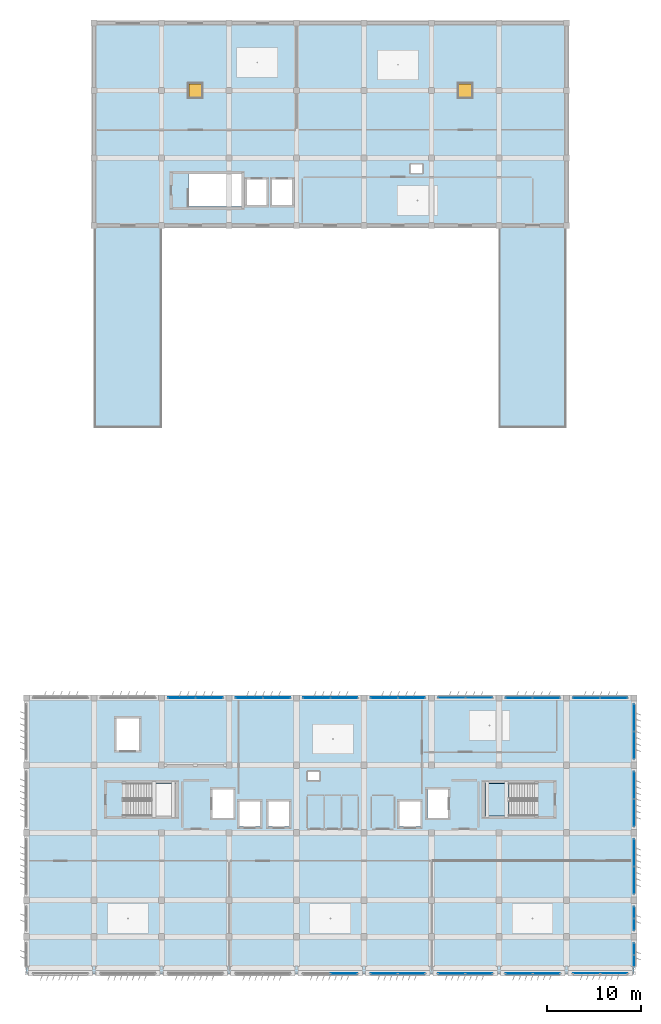
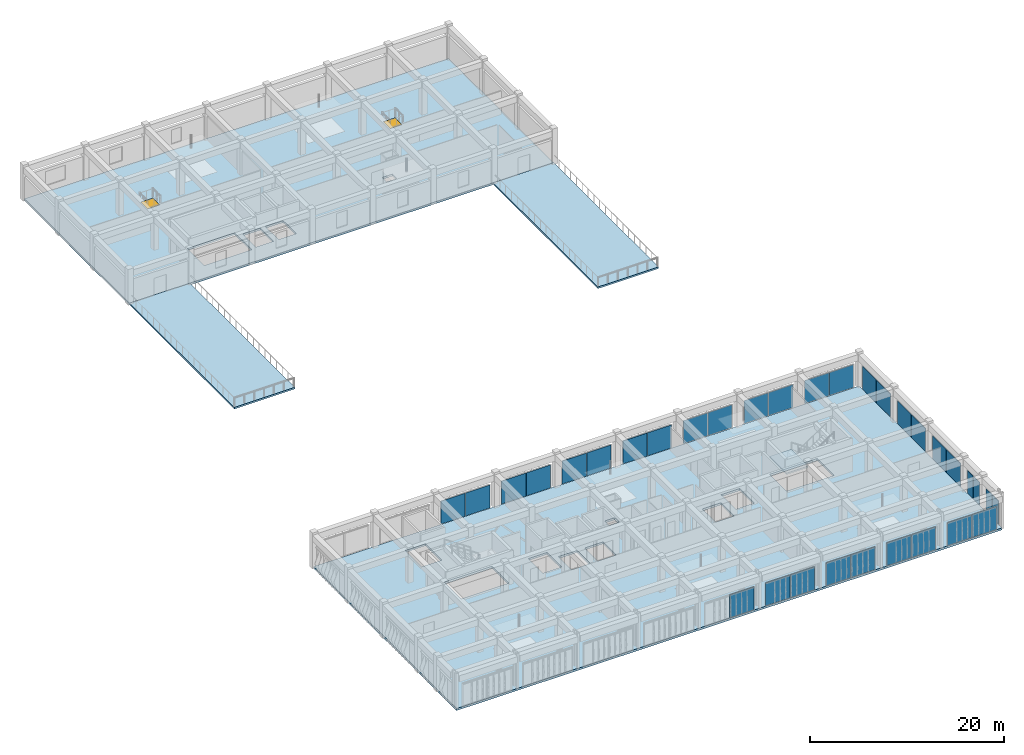
# One storey, part 33 of 56: 33 plates, 5 slabs, 2 windows, 2 openings, 18 elements without a shape of their own.
"""IFC4 building model written with IfcOpenShell, lengths in metres."""

import ifcopenshell
import ifcopenshell.guid

model = None  # the IFC model being written
_history = None  # IfcOwnerHistory: only IFC2X3 demands one
_inside = {}  # id of a spatial element -> (the spatial element, [elements in it])
_under = {}  # id of a project, library or spatial element -> (it, [spatial elements below it])
_declared = {}  # id of a project -> (the project, [libraries it declares])
_typed = {}  # id of a type object -> (the type object, [elements of that type])
_made_of = {}  # id of a material, layer set ... -> (it, [elements and type objects made of it])


def new_model(schema):
    """Start an empty IFC model of exactly this schema.

    Asked for "IFC4X3", IfcOpenShell would pick the latest addendum, in which some entities
    have other attributes; the version numbers below select the first issue.
    IFC2X3 requires an IfcOwnerHistory on every rooted entity: one is made here for all.
    """
    global model, _history
    if schema == "IFC4X3":
        model = ifcopenshell.file(schema_version=(4, 3, 0, 0))
    else:
        model = ifcopenshell.file(schema=schema)
    _inside.clear()
    _under.clear()
    _declared.clear()
    _typed.clear()
    _made_of.clear()
    _history = None
    if model.schema == "IFC2X3":
        org = make("IfcOrganization", Name="unknown")
        user = make(
            "IfcPersonAndOrganization",
            ThePerson=make("IfcPerson", FamilyName="unknown"),
            TheOrganization=org,
        )
        app = make(
            "IfcApplication",
            ApplicationDeveloper=org,
            Version="unknown",
            ApplicationFullName="unknown",
            ApplicationIdentifier="unknown",
        )
        _history = make(
            "IfcOwnerHistory",
            OwningUser=user,
            OwningApplication=app,
            ChangeAction="ADDED",
            CreationDate=0,
        )
    return model


def make(cls, **values):
    """One entity of the class cls with the attributes given. An attribute that is None is left unset."""
    return model.create_entity(
        cls, **{name: value for name, value in values.items() if value is not None}
    )


def rooted(cls, **values):
    """An entity with a GlobalId (a new one), such as an element, a storey or a relation."""
    return make(cls, GlobalId=ifcopenshell.guid.new(), OwnerHistory=_history, **values)


def si_unit(unit_type, name, prefix=None):
    """IfcSIUnit, for example si_unit("LENGTHUNIT", "METRE", prefix="MILLI")."""
    return make("IfcSIUnit", UnitType=unit_type, Prefix=prefix, Name=name)


def assignment(units):
    """IfcUnitAssignment: the units of a project."""
    return None if units is None else make("IfcUnitAssignment", Units=units)


def point(xyz):
    """IfcCartesianPoint."""
    return None if xyz is None else make("IfcCartesianPoint", Coordinates=xyz)


def direction(xyz):
    """IfcDirection."""
    return None if xyz is None else make("IfcDirection", DirectionRatios=xyz)


def frame(location, z_axis=None, x_axis=None):
    """IfcAxis2Placement3D, a coordinate frame: its origin and axes. An axis left out is left unset."""
    return make(
        "IfcAxis2Placement3D",
        Location=point(location),
        Axis=direction(z_axis),
        RefDirection=direction(x_axis),
    )


def frame_2d(location, x_axis=None):
    """IfcAxis2Placement2D, a coordinate frame in the plane: its origin and x axis."""
    return make(
        "IfcAxis2Placement2D", Location=point(location), RefDirection=direction(x_axis)
    )


def origin():
    """The frame at (0, 0, 0) with its axes left unset."""
    return frame((0.0, 0.0, 0.0))


def origin_2d():
    """The frame at (0, 0) in the plane with its x axis left unset."""
    return frame_2d((0.0, 0.0))


def place(relative_to, where):
    """IfcLocalPlacement: puts the frame where relative to a parent placement (None: the world)."""
    return make(
        "IfcLocalPlacement", PlacementRelTo=relative_to, RelativePlacement=where
    )


def context(
    kind, dimensions, precision=None, world=None, true_north=None, identifier=None
):
    """IfcGeometricRepresentationContext, for example the 3D "Model" context."""
    return make(
        "IfcGeometricRepresentationContext",
        ContextIdentifier=identifier,
        ContextType=kind,
        CoordinateSpaceDimension=dimensions,
        Precision=precision,
        WorldCoordinateSystem=world,
        TrueNorth=true_north,
    )


def subcontext(parent, identifier, kind, view, scale=None):
    """IfcGeometricRepresentationSubContext, for example "Body" below "Model"."""
    return make(
        "IfcGeometricRepresentationSubContext",
        ContextIdentifier=identifier,
        ContextType=kind,
        ParentContext=parent,
        TargetScale=scale,
        TargetView=view,
    )


def project(units=None, contexts=None):
    """IfcProject with its units and contexts."""
    return rooted(
        "IfcProject",
        Name="project",
        RepresentationContexts=contexts,
        UnitsInContext=assignment(units),
    )


def spatial(cls, under=None, at=None, **own):
    """A site, building, storey or space (cls), placed at a placement, below another one or the project."""
    s = rooted(cls, ObjectPlacement=at, **own)
    if under is not None:
        _under.setdefault(under.id(), (under, []))[1].append(s)
    return s


def polyline(points):
    """IfcPolyline through the points."""
    return make("IfcPolyline", Points=[point(p) for p in points])


def profile(cls, at=None, kind="AREA", **sizes):
    """A parametric profile (cls). Its sizes go by their IFC names, for example OverallWidth=200.0."""
    return make(cls, ProfileType=kind, Position=at, **sizes)


def rectangle(**sizes):
    """IfcRectangleProfileDef."""
    return profile("IfcRectangleProfileDef", **sizes)


def outline(outer, holes=None, kind="AREA"):
    """IfcArbitraryClosedProfileDef: a profile drawn as a closed curve; with holes, ...WithVoids."""
    if holes is None:
        return make("IfcArbitraryClosedProfileDef", ProfileType=kind, OuterCurve=outer)
    return make(
        "IfcArbitraryProfileDefWithVoids",
        ProfileType=kind,
        OuterCurve=outer,
        InnerCurves=holes,
    )


def extrude(swept, where, along, depth):
    """IfcExtrudedAreaSolid: the profile swept, set in the frame where, extruded along a direction by depth."""
    return make(
        "IfcExtrudedAreaSolid",
        SweptArea=swept,
        Position=where,
        ExtrudedDirection=direction(along),
        Depth=depth,
    )


def shape(context_of_items, identifier, shape_type, items):
    """IfcShapeRepresentation: the items that make up one representation, for example the "Body"."""
    return make(
        "IfcShapeRepresentation",
        ContextOfItems=context_of_items,
        RepresentationIdentifier=identifier,
        RepresentationType=shape_type,
        Items=items,
    )


def material(Name=None, Category=None):
    """IfcMaterial."""
    return make("IfcMaterial", Name=Name, Category=Category)


def layer(
    of_material, thickness, ventilated=None, Name=None, Category=None, Priority=None
):
    """IfcMaterialLayer: one layer of a wall or slab, of a material (None: an air gap)."""
    return make(
        "IfcMaterialLayer",
        Material=of_material,
        LayerThickness=thickness,
        IsVentilated=ventilated,
        Name=Name,
        Category=Category,
        Priority=Priority,
    )


def layer_set(layers, Name=None):
    """IfcMaterialLayerSet."""
    return make("IfcMaterialLayerSet", MaterialLayers=layers, LayerSetName=Name)


def made_of(thing, what):
    """Note that an element or type object is made of a material, layer set ...; save() writes the relation."""
    if what is not None:
        _made_of.setdefault(what.id(), (what, []))[1].append(thing)
    return thing


def type_object(cls, material=None, **own):
    """A type object (cls), such as IfcWallType, which elements share."""
    return made_of(rooted(cls, **own), material)


def element(
    cls,
    number,
    at=None,
    inside=None,
    cuts=None,
    type_object=None,
    material=None,
    context=None,
    identifier="Body",
    shape_type=None,
    held_by="IfcProductDefinitionShape",
    body=None,
    shapes=None,
    **own,
):
    """One element of the class cls, such as IfcWall. Its Tag is "e" and its number.

    at: its placement. inside: the storey or other place that contains it. cuts: it is an
    opening in that element (IfcRelVoidsElement). A single representation is given by context,
    identifier, shape_type and body (its items); several are given by shapes. held_by: the class
    of the entity that holds the representations. save() writes the other relations.
    """
    e = rooted(cls, Tag="e%d" % number, ObjectPlacement=at, **own)
    if body is not None:
        shapes = [shape(context, identifier, shape_type, body)]
    if shapes is not None:
        e.Representation = make(held_by, Representations=shapes)
    if inside is not None:
        _inside.setdefault(inside.id(), (inside, []))[1].append(e)
    if cuts is not None:
        rooted(
            "IfcRelVoidsElement", RelatingBuildingElement=cuts, RelatedOpeningElement=e
        )
    if type_object is not None:
        _typed.setdefault(type_object.id(), (type_object, []))[1].append(e)
    return made_of(e, material)


def fill(opening, filler):
    """IfcRelFillsElement: the door or window that sits in an opening."""
    return rooted(
        "IfcRelFillsElement",
        RelatingOpeningElement=opening,
        RelatedBuildingElement=filler,
    )


def aggregate(whole, parts):
    """IfcRelAggregates: a whole, such as a stair, and the parts it consists of."""
    return rooted("IfcRelAggregates", RelatingObject=whole, RelatedObjects=parts)


def save(model, path):
    """Write the relations noted so far, then the file.

    IfcRelAggregates (storeys below a building ...), IfcRelContainedInSpatialStructure (elements
    in a storey), IfcRelDefinesByType, IfcRelAssociatesMaterial and IfcRelDeclares: one each for
    every whole, place, type object, material and project.
    """
    for whole, parts in _under.values():
        aggregate(whole, parts)
    for where, things in _inside.values():
        rooted(
            "IfcRelContainedInSpatialStructure",
            RelatedElements=things,
            RelatingStructure=where,
        )
    for kind, things in _typed.values():
        rooted("IfcRelDefinesByType", RelatedObjects=things, RelatingType=kind)
    for what, things in _made_of.values():
        rooted("IfcRelAssociatesMaterial", RelatedObjects=things, RelatingMaterial=what)
    for by, libraries in _declared.values():
        rooted("IfcRelDeclares", RelatingContext=by, RelatedDefinitions=libraries)
    model.write(path)


model = new_model("IFC4")

# Units and contexts
model_context = context("Model", 3, precision=1e-05, world=origin(), true_north=direction((0.0, 1.0)))
body_context = subcontext(model_context, "Body", "Model", "MODEL_VIEW")
ifc_project = project(units=[si_unit("LENGTHUNIT", "METRE"), si_unit("AREAUNIT", "SQUARE_METRE"), si_unit("VOLUMEUNIT", "CUBIC_METRE"), si_unit("PLANEANGLEUNIT", "RADIAN"), si_unit("MASSUNIT", "GRAM", prefix="KILO")], contexts=[model_context])

# Site, building, storey
site_placement = place(None, origin())
site = spatial("IfcSite", under=ifc_project, at=site_placement, CompositionType="ELEMENT")
building_placement = place(site_placement, origin())
building = spatial("IfcBuilding", under=site, at=building_placement, Name="Kazehaya Institute of Natural Sciences", CompositionType="ELEMENT")
storey_placement = place(building_placement, frame((0.0, 0.0, 28.800048828125)))
storey = spatial("IfcBuildingStorey", under=building, at=storey_placement, Name="L06", CompositionType="ELEMENT", Elevation=28.800048828125)

# Curtain wall, plates
ifc_material_1 = material(Name="Aluminium alloy A6063S-T5", Category="aluminium")
curtain_wall_type_1 = type_object("IfcCurtainWallType", Name="CW-SYS-04", PredefinedType="NOTDEFINED", material=ifc_material_1)
curtain_wall_1_placement = place(storey_placement, origin())
curtain_wall_1 = element("IfcCurtainWall", 1, at=curtain_wall_1_placement, inside=storey, type_object=curtain_wall_type_1, Name="L06 unitised curtain wall CW-L06-120", PredefinedType="NOTDEFINED")
ifc_material_2 = material(Name="Low-E double-glazed vision glass", Category="glass")
ifc_layer_1 = layer(ifc_material_2, 0.030029296875, Name="Low-E double-glazed vision glass", Category="glass")
ifc_layer_set_1 = layer_set([ifc_layer_1], Name="Low-E double-glazed vision glass")
plate_type_1 = type_object("IfcPlateType", Name="CWP-01", PredefinedType="CURTAIN_PANEL", material=ifc_layer_set_1)
plate_1_placement = place(storey_placement, frame((117.264892578125, 6.199951171875, 0.06005859375), z_axis=(0.0, 0.0, 1.0), x_axis=(-1.0, 0.0, 0.0)))
plate_1 = element("IfcPlate", 2, at=plate_1_placement, type_object=plate_type_1, Name="CW04 panel 1.1", PredefinedType="CURTAIN_PANEL", context=body_context, shape_type="SweptSolid", body=[
    extrude(rectangle(XDim=2.8701171875, YDim=0.030029296875, at=origin_2d()), origin(), (0.0, 0.0, 1.0), 2.8798828125),
])
plate_2_placement = place(storey_placement, frame((114.3349609375, 6.199951171875, 0.06005859375), z_axis=(0.0, 0.0, 1.0), x_axis=(-1.0, 0.0, 0.0)))
plate_2 = element("IfcPlate", 3, at=plate_2_placement, type_object=plate_type_1, Name="CW04 panel 2.1", PredefinedType="CURTAIN_PANEL", context=body_context, shape_type="SweptSolid", body=[
    extrude(rectangle(XDim=2.8701171875, YDim=0.030029296875, at=origin_2d()), origin(), (0.0, 0.0, 1.0), 2.8798828125),
])
aggregate(curtain_wall_1, [plate_1, plate_2])

curtain_wall_2_placement = place(storey_placement, origin())
curtain_wall_2 = element("IfcCurtainWall", 4, at=curtain_wall_2_placement, inside=storey, type_object=curtain_wall_type_1, Name="L06 unitised curtain wall CW-L06-135", PredefinedType="NOTDEFINED")
plate_3_placement = place(storey_placement, frame((99.93505859375, 35.60009765625, 0.06005859375), z_axis=(0.0, 0.0, 1.0), x_axis=(1.0, 0.0, 0.0)))
plate_3 = element("IfcPlate", 5, at=plate_3_placement, type_object=plate_type_1, Name="CW04 panel 1.1", PredefinedType="CURTAIN_PANEL", context=body_context, shape_type="SweptSolid", body=[
    extrude(rectangle(XDim=2.8701171875, YDim=0.030029296875, at=origin_2d()), origin(), (0.0, 0.0, 1.0), 2.8798828125),
])
plate_4_placement = place(storey_placement, frame((102.864990234375, 35.60009765625, 0.06005859375), z_axis=(0.0, 0.0, 1.0), x_axis=(1.0, 0.0, 0.0)))
plate_4 = element("IfcPlate", 6, at=plate_4_placement, type_object=plate_type_1, Name="CW04 panel 2.1", PredefinedType="CURTAIN_PANEL", context=body_context, shape_type="SweptSolid", body=[
    extrude(rectangle(XDim=2.8701171875, YDim=0.030029296875, at=origin_2d()), origin(), (0.0, 0.0, 1.0), 2.8798828125),
])
aggregate(curtain_wall_2, [plate_3, plate_4])

curtain_wall_3_placement = place(storey_placement, origin())
curtain_wall_3 = element("IfcCurtainWall", 7, at=curtain_wall_3_placement, inside=storey, type_object=curtain_wall_type_1, Name="L06 unitised curtain wall CW-L06-121", PredefinedType="NOTDEFINED")
ifc_layer_2 = layer(ifc_material_2, 0.0400390625, Name="Low-E double-glazed vision glass", Category="glass")
ifc_layer_set_2 = layer_set([ifc_layer_2], Name="Low-E double-glazed vision glass")
plate_type_2 = type_object("IfcPlateType", Name="CWP-02", PredefinedType="CURTAIN_PANEL", material=ifc_layer_set_2)
plate_5_placement = place(storey_placement, frame((110.06494140625, 6.199951171875, 0.06005859375), z_axis=(0.0, 0.0, 1.0), x_axis=(-1.0, 0.0, 0.0)))
plate_5 = element("IfcPlate", 8, at=plate_5_placement, type_object=plate_type_2, Name="CW04 panel 1.1", PredefinedType="CURTAIN_PANEL", context=body_context, shape_type="SweptSolid", body=[
    extrude(rectangle(XDim=2.8701171875, YDim=0.0400390625, at=origin_2d()), origin(), (0.0, 0.0, 1.0), 2.8798828125),
])
plate_6_placement = place(storey_placement, frame((107.135009765625, 6.199951171875, 0.06005859375), z_axis=(0.0, 0.0, 1.0), x_axis=(-1.0, 0.0, 0.0)))
plate_6 = element("IfcPlate", 9, at=plate_6_placement, type_object=plate_type_2, Name="CW04 panel 2.1", PredefinedType="CURTAIN_PANEL", context=body_context, shape_type="SweptSolid", body=[
    extrude(rectangle(XDim=2.8701171875, YDim=0.0400390625, at=origin_2d()), origin(), (0.0, 0.0, 1.0), 2.8798828125),
])
aggregate(curtain_wall_3, [plate_5, plate_6])

curtain_wall_4_placement = place(storey_placement, origin())
curtain_wall_4 = element("IfcCurtainWall", 10, at=curtain_wall_4_placement, inside=storey, type_object=curtain_wall_type_1, Name="L06 unitised curtain wall CW-L06-136", PredefinedType="NOTDEFINED")
plate_7_placement = place(storey_placement, frame((107.135009765625, 35.60009765625, 0.06005859375), z_axis=(0.0, 0.0, 1.0), x_axis=(1.0, 0.0, 0.0)))
plate_7 = element("IfcPlate", 11, at=plate_7_placement, type_object=plate_type_2, Name="CW04 panel 1.1", PredefinedType="CURTAIN_PANEL", context=body_context, shape_type="SweptSolid", body=[
    extrude(rectangle(XDim=2.8701171875, YDim=0.0400390625, at=origin_2d()), origin(), (0.0, 0.0, 1.0), 2.8798828125),
])
plate_8_placement = place(storey_placement, frame((110.06494140625, 35.60009765625, 0.06005859375), z_axis=(0.0, 0.0, 1.0), x_axis=(1.0, 0.0, 0.0)))
plate_8 = element("IfcPlate", 12, at=plate_8_placement, type_object=plate_type_2, Name="CW04 panel 2.1", PredefinedType="CURTAIN_PANEL", context=body_context, shape_type="SweptSolid", body=[
    extrude(rectangle(XDim=2.8701171875, YDim=0.0400390625, at=origin_2d()), origin(), (0.0, 0.0, 1.0), 2.8798828125),
])
aggregate(curtain_wall_4, [plate_7, plate_8])

curtain_wall_5_placement = place(storey_placement, origin())
curtain_wall_5 = element("IfcCurtainWall", 13, at=curtain_wall_5_placement, inside=storey, type_object=curtain_wall_type_1, Name="L06 unitised curtain wall CW-L06-122", PredefinedType="NOTDEFINED")
ifc_layer_3 = layer(ifc_material_2, 0.050048828125, Name="Low-E double-glazed vision glass", Category="glass")
ifc_layer_set_3 = layer_set([ifc_layer_3], Name="Low-E double-glazed vision glass")
plate_type_3 = type_object("IfcPlateType", Name="CWP-03", PredefinedType="CURTAIN_PANEL", material=ifc_layer_set_3)
plate_9_placement = place(storey_placement, frame((102.864990234375, 6.199951171875, 0.06005859375), z_axis=(0.0, 0.0, 1.0), x_axis=(-1.0, 0.0, 0.0)))
plate_9 = element("IfcPlate", 14, at=plate_9_placement, type_object=plate_type_3, Name="CW04 panel 1.1", PredefinedType="CURTAIN_PANEL", context=body_context, shape_type="SweptSolid", body=[
    extrude(rectangle(XDim=2.8701171875, YDim=0.050048828125, at=origin_2d()), origin(), (0.0, 0.0, 1.0), 2.8798828125),
])
plate_10_placement = place(storey_placement, frame((99.93505859375, 6.199951171875, 0.06005859375), z_axis=(0.0, 0.0, 1.0), x_axis=(-1.0, 0.0, 0.0)))
plate_10 = element("IfcPlate", 15, at=plate_10_placement, type_object=plate_type_3, Name="CW04 panel 2.1", PredefinedType="CURTAIN_PANEL", context=body_context, shape_type="SweptSolid", body=[
    extrude(rectangle(XDim=2.8701171875, YDim=0.050048828125, at=origin_2d()), origin(), (0.0, 0.0, 1.0), 2.8798828125),
])
aggregate(curtain_wall_5, [plate_9, plate_10])

curtain_wall_6_placement = place(storey_placement, origin())
curtain_wall_6 = element("IfcCurtainWall", 16, at=curtain_wall_6_placement, inside=storey, type_object=curtain_wall_type_1, Name="L06 unitised curtain wall CW-L06-137", PredefinedType="NOTDEFINED")
plate_11_placement = place(storey_placement, frame((114.3349609375, 35.60009765625, 0.06005859375), z_axis=(0.0, 0.0, 1.0), x_axis=(1.0, 0.0, 0.0)))
plate_11 = element("IfcPlate", 17, at=plate_11_placement, type_object=plate_type_3, Name="CW04 panel 1.1", PredefinedType="CURTAIN_PANEL", context=body_context, shape_type="SweptSolid", body=[
    extrude(rectangle(XDim=2.8701171875, YDim=0.050048828125, at=origin_2d()), origin(), (0.0, 0.0, 1.0), 2.8798828125),
])
plate_12_placement = place(storey_placement, frame((117.264892578125, 35.60009765625, 0.06005859375), z_axis=(0.0, 0.0, 1.0), x_axis=(1.0, 0.0, 0.0)))
plate_12 = element("IfcPlate", 18, at=plate_12_placement, type_object=plate_type_3, Name="CW04 panel 2.1", PredefinedType="CURTAIN_PANEL", context=body_context, shape_type="SweptSolid", body=[
    extrude(rectangle(XDim=2.8701171875, YDim=0.050048828125, at=origin_2d()), origin(), (0.0, 0.0, 1.0), 2.8798828125),
])
aggregate(curtain_wall_6, [plate_11, plate_12])

curtain_wall_7_placement = place(storey_placement, origin())
curtain_wall_7 = element("IfcCurtainWall", 19, at=curtain_wall_7_placement, inside=storey, type_object=curtain_wall_type_1, Name="L06 unitised curtain wall CW-L06-123", PredefinedType="NOTDEFINED")
ifc_layer_4 = layer(ifc_material_2, 0.06005859375, Name="Low-E double-glazed vision glass", Category="glass")
ifc_layer_set_4 = layer_set([ifc_layer_4], Name="Low-E double-glazed vision glass")
plate_type_4 = type_object("IfcPlateType", Name="CWP-04", PredefinedType="CURTAIN_PANEL", material=ifc_layer_set_4)
plate_13_placement = place(storey_placement, frame((95.6650390625, 6.199951171875, 0.06005859375), z_axis=(0.0, 0.0, 1.0), x_axis=(-1.0, 0.0, 0.0)))
plate_13 = element("IfcPlate", 20, at=plate_13_placement, type_object=plate_type_4, Name="CW04 panel 1.1", PredefinedType="CURTAIN_PANEL", context=body_context, shape_type="SweptSolid", body=[
    extrude(rectangle(XDim=2.8701171875, YDim=0.06005859375, at=origin_2d()), origin(), (0.0, 0.0, 1.0), 2.8798828125),
])
plate_14_placement = place(storey_placement, frame((92.735107421875, 6.199951171875, 0.06005859375), z_axis=(0.0, 0.0, 1.0), x_axis=(-1.0, 0.0, 0.0)))
plate_14 = element("IfcPlate", 21, at=plate_14_placement, type_object=plate_type_4, Name="CW04 panel 2.1", PredefinedType="CURTAIN_PANEL", context=body_context, shape_type="SweptSolid", body=[
    extrude(rectangle(XDim=2.8701171875, YDim=0.06005859375, at=origin_2d()), origin(), (0.0, 0.0, 1.0), 2.8798828125),
])
aggregate(curtain_wall_7, [plate_13, plate_14])

# Curtain wall, plate
curtain_wall_8_placement = place(storey_placement, origin())
curtain_wall_8 = element("IfcCurtainWall", 22, at=curtain_wall_8_placement, inside=storey, type_object=curtain_wall_type_1, Name="L06 unitised curtain wall CW-L06-124", PredefinedType="NOTDEFINED")
ifc_material_3 = material(Name="Insulated bronze aluminium spandrel panel", Category="aluminium")
ifc_layer_5 = layer(ifc_material_3, 0.070068359375, Name="Insulated bronze aluminium spandrel panel", Category="aluminium")
ifc_layer_set_5 = layer_set([ifc_layer_5], Name="Insulated bronze aluminium spandrel panel")
plate_type_5 = type_object("IfcPlateType", Name="CWP-05", PredefinedType="CURTAIN_PANEL", material=ifc_layer_set_5)
plate_15_placement = place(storey_placement, frame((88.465087890625, 6.199951171875, 0.06005859375), z_axis=(0.0, 0.0, 1.0), x_axis=(-1.0, 0.0, 0.0)))
plate_15 = element("IfcPlate", 23, at=plate_15_placement, type_object=plate_type_5, Name="CW04 panel 1.1", PredefinedType="CURTAIN_PANEL", context=body_context, shape_type="SweptSolid", body=[
    extrude(rectangle(XDim=2.8701171875, YDim=0.070068359375, at=origin_2d()), origin(), (0.0, 0.0, 1.0), 2.8798828125),
])
aggregate(curtain_wall_8, [plate_15])

# Curtain wall, plates
curtain_wall_9_placement = place(storey_placement, origin())
curtain_wall_9 = element("IfcCurtainWall", 24, at=curtain_wall_9_placement, inside=storey, type_object=curtain_wall_type_1, Name="L06 unitised curtain wall CW-L06-131", PredefinedType="NOTDEFINED")
plate_16_placement = place(storey_placement, frame((71.135009765625, 35.60009765625, 0.06005859375), z_axis=(0.0, 0.0, 1.0), x_axis=(1.0, 0.0, 0.0)))
plate_16 = element("IfcPlate", 25, at=plate_16_placement, type_object=plate_type_5, Name="CW04 panel 1.1", PredefinedType="CURTAIN_PANEL", context=body_context, shape_type="SweptSolid", body=[
    extrude(rectangle(XDim=2.8701171875, YDim=0.070068359375, at=origin_2d()), origin(), (0.0, 0.0, 1.0), 2.8798828125),
])
plate_17_placement = place(storey_placement, frame((74.06494140625, 35.60009765625, 0.06005859375), z_axis=(0.0, 0.0, 1.0), x_axis=(1.0, 0.0, 0.0)))
plate_17 = element("IfcPlate", 26, at=plate_17_placement, type_object=plate_type_5, Name="CW04 panel 2.1", PredefinedType="CURTAIN_PANEL", context=body_context, shape_type="SweptSolid", body=[
    extrude(rectangle(XDim=2.8701171875, YDim=0.070068359375, at=origin_2d()), origin(), (0.0, 0.0, 1.0), 2.8798828125),
])
aggregate(curtain_wall_9, [plate_16, plate_17])

curtain_wall_10_placement = place(storey_placement, origin())
curtain_wall_10 = element("IfcCurtainWall", 27, at=curtain_wall_10_placement, inside=storey, type_object=curtain_wall_type_1, Name="L06 unitised curtain wall CW-L06-132", PredefinedType="NOTDEFINED")
ifc_layer_6 = layer(ifc_material_3, 0.080078125, Name="Insulated bronze aluminium spandrel panel", Category="aluminium")
ifc_layer_set_6 = layer_set([ifc_layer_6], Name="Insulated bronze aluminium spandrel panel")
plate_type_6 = type_object("IfcPlateType", Name="CWP-06", PredefinedType="CURTAIN_PANEL", material=ifc_layer_set_6)
plate_18_placement = place(storey_placement, frame((78.3349609375, 35.60009765625, 0.06005859375), z_axis=(0.0, 0.0, 1.0), x_axis=(1.0, 0.0, 0.0)))
plate_18 = element("IfcPlate", 28, at=plate_18_placement, type_object=plate_type_6, Name="CW04 panel 1.1", PredefinedType="CURTAIN_PANEL", context=body_context, shape_type="SweptSolid", body=[
    extrude(rectangle(XDim=2.8701171875, YDim=0.080078125, at=origin_2d()), origin(), (0.0, 0.0, 1.0), 2.8798828125),
])
plate_19_placement = place(storey_placement, frame((81.264892578125, 35.60009765625, 0.06005859375), z_axis=(0.0, 0.0, 1.0), x_axis=(1.0, 0.0, 0.0)))
plate_19 = element("IfcPlate", 29, at=plate_19_placement, type_object=plate_type_6, Name="CW04 panel 2.1", PredefinedType="CURTAIN_PANEL", context=body_context, shape_type="SweptSolid", body=[
    extrude(rectangle(XDim=2.8701171875, YDim=0.080078125, at=origin_2d()), origin(), (0.0, 0.0, 1.0), 2.8798828125),
])
aggregate(curtain_wall_10, [plate_18, plate_19])

curtain_wall_type_2 = type_object("IfcCurtainWallType", Name="CW-SYS-08", PredefinedType="NOTDEFINED", material=ifc_material_1)
curtain_wall_11_placement = place(storey_placement, origin())
curtain_wall_11 = element("IfcCurtainWall", 30, at=curtain_wall_11_placement, inside=storey, type_object=curtain_wall_type_2, Name="L06 unitised curtain wall CW-L06-139", PredefinedType="NOTDEFINED")
plate_20_placement = place(storey_placement, frame((119.39990234375, 8.7900390625, 0.06005859375), z_axis=(0.0, 0.0, 1.0), x_axis=(0.0, -1.0, 0.0)))
plate_20 = element("IfcPlate", 31, at=plate_20_placement, type_object=plate_type_6, Name="CW08 panel 1.1", PredefinedType="CURTAIN_PANEL", context=body_context, shape_type="SweptSolid", body=[
    extrude(rectangle(XDim=1.219970703125, YDim=0.080078125, at=origin_2d()), origin(), (0.0, 0.0, 1.0), 2.8798828125),
])
plate_21_placement = place(storey_placement, frame((119.39990234375, 7.510009765625, 0.06005859375), z_axis=(0.0, 0.0, 1.0), x_axis=(0.0, -1.0, 0.0)))
plate_21 = element("IfcPlate", 32, at=plate_21_placement, type_object=plate_type_6, Name="CW08 panel 2.1", PredefinedType="CURTAIN_PANEL", context=body_context, shape_type="SweptSolid", body=[
    extrude(rectangle(XDim=1.219970703125, YDim=0.080078125, at=origin_2d()), origin(), (0.0, 0.0, 1.0), 2.8798828125),
])
aggregate(curtain_wall_11, [plate_20, plate_21])

curtain_wall_12_placement = place(storey_placement, origin())
curtain_wall_12 = element("IfcCurtainWall", 33, at=curtain_wall_12_placement, inside=storey, type_object=curtain_wall_type_2, Name="L06 unitised curtain wall CW-L06-141", PredefinedType="NOTDEFINED")
plate_22_placement = place(storey_placement, frame((119.39990234375, 12.68994140625, 0.06005859375), z_axis=(0.0, 0.0, 1.0), x_axis=(0.0, -1.0, 0.0)))
plate_22 = element("IfcPlate", 34, at=plate_22_placement, type_object=plate_type_6, Name="CW08 panel 1.1", PredefinedType="CURTAIN_PANEL", context=body_context, shape_type="SweptSolid", body=[
    extrude(rectangle(XDim=1.219970703125, YDim=0.080078125, at=origin_2d()), origin(), (0.0, 0.0, 1.0), 2.8798828125),
])
plate_23_placement = place(storey_placement, frame((119.39990234375, 11.409912109375, 0.06005859375), z_axis=(0.0, 0.0, 1.0), x_axis=(0.0, -1.0, 0.0)))
plate_23 = element("IfcPlate", 35, at=plate_23_placement, type_object=plate_type_6, Name="CW08 panel 2.1", PredefinedType="CURTAIN_PANEL", context=body_context, shape_type="SweptSolid", body=[
    extrude(rectangle(XDim=1.219970703125, YDim=0.080078125, at=origin_2d()), origin(), (0.0, 0.0, 1.0), 2.8798828125),
])
aggregate(curtain_wall_12, [plate_22, plate_23])

curtain_wall_type_3 = type_object("IfcCurtainWallType", Name="CW-SYS-10", PredefinedType="NOTDEFINED", material=ifc_material_1)
curtain_wall_13_placement = place(storey_placement, origin())
curtain_wall_13 = element("IfcCurtainWall", 36, at=curtain_wall_13_placement, inside=storey, type_object=curtain_wall_type_3, Name="L06 unitised curtain wall CW-L06-143", PredefinedType="NOTDEFINED")
plate_24_placement = place(storey_placement, frame((119.39990234375, 19.06494140625, 0.06005859375), z_axis=(0.0, 0.0, 1.0), x_axis=(0.0, -1.0, 0.0)))
plate_24 = element("IfcPlate", 37, at=plate_24_placement, type_object=plate_type_6, Name="CW10 panel 1.1", PredefinedType="CURTAIN_PANEL", context=body_context, shape_type="SweptSolid", body=[
    extrude(rectangle(XDim=2.8701171875, YDim=0.080078125, at=origin_2d()), origin(), (0.0, 0.0, 1.0), 2.8798828125),
])
plate_25_placement = place(storey_placement, frame((119.39990234375, 16.135009765625, 0.06005859375), z_axis=(0.0, 0.0, 1.0), x_axis=(0.0, -1.0, 0.0)))
plate_25 = element("IfcPlate", 38, at=plate_25_placement, type_object=plate_type_6, Name="CW10 panel 2.1", PredefinedType="CURTAIN_PANEL", context=body_context, shape_type="SweptSolid", body=[
    extrude(rectangle(XDim=2.8701171875, YDim=0.080078125, at=origin_2d()), origin(), (0.0, 0.0, 1.0), 2.8798828125),
])
aggregate(curtain_wall_13, [plate_24, plate_25])

curtain_wall_14_placement = place(storey_placement, origin())
curtain_wall_14 = element("IfcCurtainWall", 39, at=curtain_wall_14_placement, inside=storey, type_object=curtain_wall_type_3, Name="L06 unitised curtain wall CW-L06-145", PredefinedType="NOTDEFINED")
plate_26_placement = place(storey_placement, frame((119.39990234375, 26.264892578125, 0.06005859375), z_axis=(0.0, 0.0, 1.0), x_axis=(0.0, -1.0, 0.0)))
plate_26 = element("IfcPlate", 40, at=plate_26_placement, type_object=plate_type_6, Name="CW10 panel 1.1", PredefinedType="CURTAIN_PANEL", context=body_context, shape_type="SweptSolid", body=[
    extrude(rectangle(XDim=2.8701171875, YDim=0.080078125, at=origin_2d()), origin(), (0.0, 0.0, 1.0), 2.8798828125),
])
plate_27_placement = place(storey_placement, frame((119.39990234375, 23.3349609375, 0.06005859375), z_axis=(0.0, 0.0, 1.0), x_axis=(0.0, -1.0, 0.0)))
plate_27 = element("IfcPlate", 41, at=plate_27_placement, type_object=plate_type_6, Name="CW10 panel 2.1", PredefinedType="CURTAIN_PANEL", context=body_context, shape_type="SweptSolid", body=[
    extrude(rectangle(XDim=2.8701171875, YDim=0.080078125, at=origin_2d()), origin(), (0.0, 0.0, 1.0), 2.8798828125),
])
aggregate(curtain_wall_14, [plate_26, plate_27])

curtain_wall_15_placement = place(storey_placement, origin())
curtain_wall_15 = element("IfcCurtainWall", 42, at=curtain_wall_15_placement, inside=storey, type_object=curtain_wall_type_3, Name="L06 unitised curtain wall CW-L06-147", PredefinedType="NOTDEFINED")
plate_28_placement = place(storey_placement, frame((119.39990234375, 33.465087890625, 0.06005859375), z_axis=(0.0, 0.0, 1.0), x_axis=(0.0, -1.0, 0.0)))
plate_28 = element("IfcPlate", 43, at=plate_28_placement, type_object=plate_type_6, Name="CW10 panel 1.1", PredefinedType="CURTAIN_PANEL", context=body_context, shape_type="SweptSolid", body=[
    extrude(rectangle(XDim=2.8701171875, YDim=0.080078125, at=origin_2d()), origin(), (0.0, 0.0, 1.0), 2.8798828125),
])
plate_29_placement = place(storey_placement, frame((119.39990234375, 30.534912109375, 0.06005859375), z_axis=(0.0, 0.0, 1.0), x_axis=(0.0, -1.0, 0.0)))
plate_29 = element("IfcPlate", 44, at=plate_29_placement, type_object=plate_type_6, Name="CW10 panel 2.1", PredefinedType="CURTAIN_PANEL", context=body_context, shape_type="SweptSolid", body=[
    extrude(rectangle(XDim=2.8701171875, YDim=0.080078125, at=origin_2d()), origin(), (0.0, 0.0, 1.0), 2.8798828125),
])
aggregate(curtain_wall_15, [plate_28, plate_29])

curtain_wall_16_placement = place(storey_placement, origin())
curtain_wall_16 = element("IfcCurtainWall", 45, at=curtain_wall_16_placement, inside=storey, type_object=curtain_wall_type_1, Name="L06 unitised curtain wall CW-L06-133", PredefinedType="NOTDEFINED")
ifc_layer_7 = layer(ifc_material_3, 0.090087890625, Name="Insulated bronze aluminium spandrel panel", Category="aluminium")
ifc_layer_set_7 = layer_set([ifc_layer_7], Name="Insulated bronze aluminium spandrel panel")
plate_type_7 = type_object("IfcPlateType", Name="CWP-07", PredefinedType="CURTAIN_PANEL", material=ifc_layer_set_7)
plate_30_placement = place(storey_placement, frame((85.534912109375, 35.60009765625, 0.06005859375), z_axis=(0.0, 0.0, 1.0), x_axis=(1.0, 0.0, 0.0)))
plate_30 = element("IfcPlate", 46, at=plate_30_placement, type_object=plate_type_7, Name="CW04 panel 1.1", PredefinedType="CURTAIN_PANEL", context=body_context, shape_type="SweptSolid", body=[
    extrude(rectangle(XDim=2.8701171875, YDim=0.090087890625, at=origin_2d()), origin(), (0.0, 0.0, 1.0), 2.8798828125),
])
plate_31_placement = place(storey_placement, frame((88.465087890625, 35.60009765625, 0.06005859375), z_axis=(0.0, 0.0, 1.0), x_axis=(1.0, 0.0, 0.0)))
plate_31 = element("IfcPlate", 47, at=plate_31_placement, type_object=plate_type_7, Name="CW04 panel 2.1", PredefinedType="CURTAIN_PANEL", context=body_context, shape_type="SweptSolid", body=[
    extrude(rectangle(XDim=2.8701171875, YDim=0.090087890625, at=origin_2d()), origin(), (0.0, 0.0, 1.0), 2.8798828125),
])
aggregate(curtain_wall_16, [plate_30, plate_31])

curtain_wall_17_placement = place(storey_placement, origin())
curtain_wall_17 = element("IfcCurtainWall", 48, at=curtain_wall_17_placement, inside=storey, type_object=curtain_wall_type_1, Name="L06 unitised curtain wall CW-L06-134", PredefinedType="NOTDEFINED")
ifc_layer_8 = layer(ifc_material_3, 0.10009765625, Name="Insulated bronze aluminium spandrel panel", Category="aluminium")
ifc_layer_set_8 = layer_set([ifc_layer_8], Name="Insulated bronze aluminium spandrel panel")
plate_type_8 = type_object("IfcPlateType", Name="CWP-08", PredefinedType="CURTAIN_PANEL", material=ifc_layer_set_8)
plate_32_placement = place(storey_placement, frame((92.735107421875, 35.60009765625, 0.06005859375), z_axis=(0.0, 0.0, 1.0), x_axis=(1.0, 0.0, 0.0)))
plate_32 = element("IfcPlate", 49, at=plate_32_placement, type_object=plate_type_8, Name="CW04 panel 1.1", PredefinedType="CURTAIN_PANEL", context=body_context, shape_type="SweptSolid", body=[
    extrude(rectangle(XDim=2.8701171875, YDim=0.10009765625, at=origin_2d()), origin(), (0.0, 0.0, 1.0), 2.8798828125),
])
plate_33_placement = place(storey_placement, frame((95.6650390625, 35.60009765625, 0.06005859375), z_axis=(0.0, 0.0, 1.0), x_axis=(1.0, 0.0, 0.0)))
plate_33 = element("IfcPlate", 50, at=plate_33_placement, type_object=plate_type_8, Name="CW04 panel 2.1", PredefinedType="CURTAIN_PANEL", context=body_context, shape_type="SweptSolid", body=[
    extrude(rectangle(XDim=2.8701171875, YDim=0.10009765625, at=origin_2d()), origin(), (0.0, 0.0, 1.0), 2.8798828125),
])
aggregate(curtain_wall_17, [plate_32, plate_33])

# Slab, openings, windows
ifc_material_4 = material(Name="Concrete Fc36", Category="concrete")
ifc_layer_9 = layer(ifc_material_4, 0.25, Name="Concrete Fc36", Category="concrete")
ifc_layer_set_9 = layer_set([ifc_layer_9], Name="Concrete Fc36")
slab_type_1 = type_object("IfcSlabType", Name="SL-FLR-250", PredefinedType="FLOOR", material=ifc_layer_set_9)
slab_1_placement = place(storey_placement, frame((0.0, 0.0, -0.25)))
slab_1 = element("IfcSlab", 51, at=slab_1_placement, inside=storey, type_object=slab_type_1, Name="L06 structural slab L06-VOL5N", PredefinedType="FLOOR", context=body_context, shape_type="SweptSolid", body=[
    extrude(outline(polyline([(61.800048828125, 86.0), (112.199951171875, 86.0), (112.199951171875, 107.60009765625), (61.800048828125, 107.60009765625), (61.800048828125, 86.0)]), holes=[polyline([(95.60009765625, 91.60009765625), (96.800048828125, 91.60009765625), (96.800048828125, 92.5), (95.60009765625, 92.5), (95.60009765625, 91.60009765625)]), polyline([(71.860107421875, 88.0), (77.5, 88.0), (77.5, 91.47998046875), (71.860107421875, 91.47998046875), (71.860107421875, 88.0)]), polyline([(78.10009765625, 88.199951171875), (80.199951171875, 88.199951171875), (80.199951171875, 90.89990234375), (78.10009765625, 90.89990234375), (78.10009765625, 88.199951171875)]), polyline([(80.800048828125, 88.199951171875), (82.89990234375, 88.199951171875), (82.89990234375, 90.89990234375), (80.800048828125, 90.89990234375), (80.800048828125, 88.199951171875)]), polyline([(71.89990234375, 99.699951171875), (73.300048828125, 99.699951171875), (73.300048828125, 101.10009765625), (71.89990234375, 101.10009765625), (71.89990234375, 99.699951171875)]), polyline([(100.699951171875, 99.699951171875), (102.10009765625, 99.699951171875), (102.10009765625, 101.10009765625), (100.699951171875, 101.10009765625), (100.699951171875, 99.699951171875)])]), origin(), (0.0, 0.0, 1.0), 0.25),
])
opening_1_placement = place(slab_1_placement, frame((72.60009765625, 100.39990234375, 0.0)))
opening_1 = element("IfcOpeningElement", 52, at=opening_1_placement, cuts=slab_1, Name="Opening SK04", PredefinedType="OPENING", context=body_context, shape_type="SweptSolid", body=[
    extrude(rectangle(XDim=1.39990234375, YDim=1.39990234375, at=origin_2d()), frame((0.0, 0.0, -0.010009765625)), (0.0, 0.0, 1.0), 0.27001953125),
])
opening_2_placement = place(slab_1_placement, frame((101.39990234375, 100.39990234375, 0.0)))
opening_2 = element("IfcOpeningElement", 53, at=opening_2_placement, cuts=slab_1, Name="Opening SK04", PredefinedType="OPENING", context=body_context, shape_type="SweptSolid", body=[
    extrude(rectangle(XDim=1.39990234375, YDim=1.39990234375, at=origin_2d()), frame((0.0, 0.0, -0.010009765625)), (0.0, 0.0, 1.0), 0.27001953125),
])
ifc_material_5 = material(Name="Low-E double-glazed aluminium window", Category="aluminium")
window_type = type_object("IfcWindowType", Name="SK-04", PartitioningType="SINGLE_PANEL", PredefinedType="SKYLIGHT", material=ifc_material_5)
window_1_placement = place(opening_1_placement, frame((0.0, 0.0, 0.199951171875)))
window_1 = element("IfcWindow", 54, at=window_1_placement, inside=storey, type_object=window_type, Name="L06 daylight skylight SKY-07", OverallHeight=1.39990234375, OverallWidth=1.39990234375, PartitioningType="SINGLE_PANEL", PredefinedType="SKYLIGHT", context=body_context, shape_type="SweptSolid", body=[
    extrude(rectangle(XDim=1.39990234375, YDim=1.39990234375, at=origin_2d()), origin(), (0.0, 0.0, 1.0), 0.050048828125),
])
fill(opening_1, window_1)
window_2_placement = place(opening_2_placement, frame((0.0, 0.0, 0.199951171875)))
window_2 = element("IfcWindow", 55, at=window_2_placement, inside=storey, type_object=window_type, Name="L06 daylight skylight SKY-08", OverallHeight=1.39990234375, OverallWidth=1.39990234375, PartitioningType="SINGLE_PANEL", PredefinedType="SKYLIGHT", context=body_context, shape_type="SweptSolid", body=[
    extrude(rectangle(XDim=1.39990234375, YDim=1.39990234375, at=origin_2d()), origin(), (0.0, 0.0, 1.0), 0.050048828125),
])
fill(opening_2, window_2)

# Slab
ifc_layer_10 = layer(ifc_material_4, 0.260009765625, Name="Concrete Fc36", Category="concrete")
ifc_layer_set_10 = layer_set([ifc_layer_10], Name="Concrete Fc36")
slab_type_2 = type_object("IfcSlabType", Name="SL-FLR-260", PredefinedType="FLOOR", material=ifc_layer_set_10)
slab_2_placement = place(storey_placement, frame((0.0, 0.0, -0.260009765625)))
element("IfcSlab", 56, at=slab_2_placement, inside=storey, type_object=slab_type_2, Name="L06 structural slab L06-VOL4", PredefinedType="FLOOR", context=body_context, shape_type="SweptSolid", body=[
    extrude(outline(polyline([(54.60009765625, 6.199951171875), (119.39990234375, 6.199951171875), (119.39990234375, 35.60009765625), (54.60009765625, 35.60009765625), (54.60009765625, 6.199951171875)]), holes=[polyline([(84.60009765625, 26.800048828125), (85.800048828125, 26.800048828125), (85.800048828125, 27.699951171875), (84.60009765625, 27.699951171875), (84.60009765625, 26.800048828125)]), polyline([(64.860107421875, 23.0), (70.5, 23.0), (70.5, 26.47998046875), (64.860107421875, 26.47998046875), (64.860107421875, 23.0)]), polyline([(103.5, 23.0), (109.139892578125, 23.0), (109.139892578125, 26.47998046875), (103.5, 26.47998046875), (103.5, 23.0)]), polyline([(74.449951171875, 22.800048828125), (76.64990234375, 22.800048828125), (76.64990234375, 25.800048828125), (74.449951171875, 25.800048828125), (74.449951171875, 22.800048828125)]), polyline([(97.35009765625, 22.800048828125), (99.550048828125, 22.800048828125), (99.550048828125, 25.800048828125), (97.35009765625, 25.800048828125), (97.35009765625, 22.800048828125)]), polyline([(77.300048828125, 21.85009765625), (79.5, 21.85009765625), (79.5, 24.550048828125), (77.300048828125, 24.550048828125), (77.300048828125, 21.85009765625)]), polyline([(80.39990234375, 21.85009765625), (82.60009765625, 21.85009765625), (82.60009765625, 24.550048828125), (80.39990234375, 24.550048828125), (80.39990234375, 21.85009765625)]), polyline([(94.39990234375, 21.85009765625), (96.60009765625, 21.85009765625), (96.60009765625, 24.550048828125), (94.39990234375, 24.550048828125), (94.39990234375, 21.85009765625)]), polyline([(64.199951171875, 30.0), (66.60009765625, 30.0), (66.60009765625, 33.39990234375), (64.199951171875, 33.39990234375), (64.199951171875, 30.0)])]), origin(), (0.0, 0.0, 1.0), 0.260009765625),
])

# Stair, slab
stair_type = type_object("IfcStairType", Name="STR-DOG-4500", PredefinedType="HALF_TURN_STAIR", material=ifc_material_4)
stair_placement = place(storey_placement, origin())
stair = element("IfcStair", 57, at=stair_placement, inside=storey, type_object=stair_type, Name="L06 Protected Escape Stair ST-2", PredefinedType="HALF_TURN_STAIR")
ifc_layer_11 = layer(ifc_material_4, 0.159912109375, Name="Concrete Fc36", Category="concrete")
ifc_layer_set_11 = layer_set([ifc_layer_11], Name="Concrete Fc36")
slab_type_3 = type_object("IfcSlabType", Name="SL-LND-160", PredefinedType="LANDING", material=ifc_layer_set_11)
slab_3_placement = place(storey_placement, frame((0.0, 0.0, 2.050048828125)))
slab_3 = element("IfcSlab", 58, at=slab_3_placement, type_object=slab_type_3, Name="ST-2 landing 1", PredefinedType="LANDING", context=body_context, shape_type="SweptSolid", body=[
    extrude(outline(polyline([(106.06005859375, 26.47998046875), (103.5, 26.47998046875), (103.5, 23.0), (106.06005859375, 23.0), (106.06005859375, 26.47998046875)])), origin(), (0.0, 0.0, 1.0), 0.199951171875),
])
aggregate(stair, [slab_3])

# Slabs
ifc_layer_12 = layer(ifc_material_4, 0.2099609375, Name="Concrete Fc36", Category="concrete")
ifc_layer_set_12 = layer_set([ifc_layer_12], Name="Concrete Fc36")
slab_type_4 = type_object("IfcSlabType", Name="SL-TER-210", PredefinedType="FLOOR", material=ifc_layer_set_12)
slab_4_placement = place(storey_placement, frame((0.0, 0.0, -0.2099609375)))
element("IfcSlab", 59, at=slab_4_placement, inside=storey, type_object=slab_type_4, Name="L06 outdoor terrace slab EXT-L06-TERW", PredefinedType="FLOOR", context=body_context, shape_type="SweptSolid", body=[
    extrude(outline(polyline([(61.800048828125, 64.39990234375), (69.0, 64.39990234375), (69.0, 86.0), (61.800048828125, 86.0), (61.800048828125, 64.39990234375)])), origin(), (0.0, 0.0, 1.0), 0.2099609375),
])
slab_5_placement = place(storey_placement, frame((0.0, 0.0, -0.2099609375)))
element("IfcSlab", 60, at=slab_5_placement, inside=storey, type_object=slab_type_4, Name="L06 outdoor terrace slab EXT-L06-TERE", PredefinedType="FLOOR", context=body_context, shape_type="SweptSolid", body=[
    extrude(outline(polyline([(105.0, 64.39990234375), (112.199951171875, 64.39990234375), (112.199951171875, 86.0), (105.0, 86.0), (105.0, 64.39990234375)])), origin(), (0.0, 0.0, 1.0), 0.2099609375),
])

save(model, "model.ifc")
